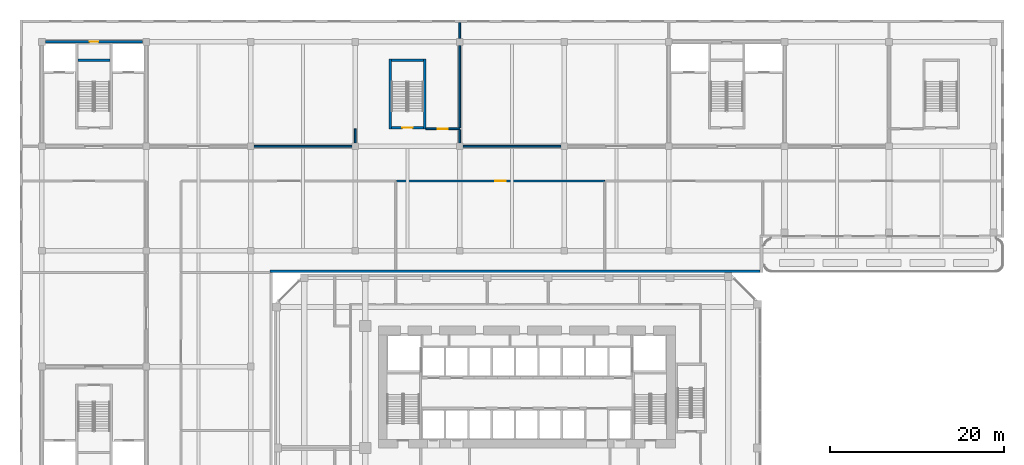
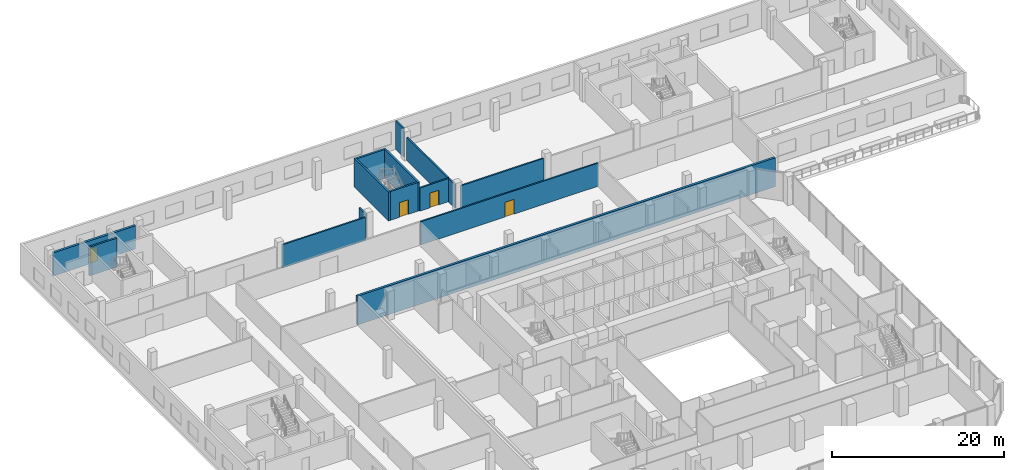
# One storey, part 22 of 35: 15 walls, 4 doors, 4 openings.
"""IFC4 building model written with IfcOpenShell, lengths in metres."""

from ifc_helpers import new_model, si_unit, direction, frame, frame_2d, origin, place, context, subcontext, project, spatial, rectangle, extrude, source, transform, mapped, material, layer, layer_set, type_object, element, fill, save


model = new_model("IFC4")

# Units and contexts
model_context = context("Model", 3, precision=1e-05, world=origin(), true_north=direction((0.0, 1.0)))
body_context = subcontext(model_context, "Body", "Model", "MODEL_VIEW")
ifc_project = project(units=[si_unit("LENGTHUNIT", "METRE"), si_unit("AREAUNIT", "SQUARE_METRE"), si_unit("VOLUMEUNIT", "CUBIC_METRE"), si_unit("PLANEANGLEUNIT", "RADIAN"), si_unit("MASSUNIT", "GRAM", prefix="KILO")], contexts=[model_context])

# Site, building, storey
site_placement = place(None, origin())
site = spatial("IfcSite", under=ifc_project, at=site_placement, CompositionType="ELEMENT")
building_placement = place(site_placement, origin())
building = spatial("IfcBuilding", under=site, at=building_placement, Name="Kilnfold Tower and Market Hall", CompositionType="ELEMENT")
storey_placement = place(building_placement, frame((0.0, 0.0, 13.5)))
storey = spatial("IfcBuildingStorey", under=building, at=storey_placement, Name="L02", CompositionType="ELEMENT", Elevation=13.5)

# Wall
ifc_material_1 = material(Name="Concrete C50/60", Category="concrete")
ifc_layer_1 = layer(ifc_material_1, 0.25)
ifc_layer_set_1 = layer_set([ifc_layer_1], Name="Concrete C50/60")
wall_type_1 = type_object("IfcWallType", Name="HALL CORE WALL 250", PredefinedType="SHEAR", material=ifc_layer_set_1)
shared_shape_1 = source(origin(), body_context, "Body", "SweptSolid", [
    extrude(rectangle(XDim=3.699951171875, YDim=0.25, at=frame_2d((1.85009765625, 0.0))), origin(), (0.0, 0.0, 1.0), 4.10009765625),
])
wall_1_placement = place(storey_placement, frame((-46.800048828125, 52.52490234375, 0.0), z_axis=(0.0, 0.0, 1.0), x_axis=(-1.0, 0.0, 0.0)))
element("IfcWall", 1, at=wall_1_placement, inside=storey, type_object=wall_type_1, Name="Core wall MH2", PredefinedType="SHEAR", context=body_context, shape_type="MappedRepresentation", body=[
    mapped(shared_shape_1, transform((0.0, 0.0, 0.0))),
])

# Wall, opening, door
wall_2_placement = place(storey_placement, frame((-14.5, 44.77490234375, 0.0), z_axis=(0.0, 0.0, 1.0), x_axis=(1.0, 0.0, 0.0)))
wall_2 = element("IfcWall", 2, at=wall_2_placement, inside=storey, type_object=wall_type_1, Name="Core wall MS4", PredefinedType="SHEAR", context=body_context, shape_type="MappedRepresentation", body=[
    mapped(shared_shape_1, transform((0.0, 0.0, 0.0))),
])
opening_1_placement = place(wall_2_placement, frame((1.25, 0.0, 0.0)))
opening_1 = element("IfcOpeningElement", 3, at=opening_1_placement, cuts=wall_2, Name="Opening MD9-60", PredefinedType="OPENING", context=body_context, shape_type="SweptSolid", body=[
    extrude(rectangle(XDim=1.199951171875, YDim=2.10009765625, at=frame_2d((0.60009765625, 1.050048828125))), frame((0.0, 0.135009765625, 0.0), z_axis=(0.0, -1.0, 0.0), x_axis=(1.0, 0.0, 0.0)), (0.0, 0.0, 1.0), 0.27001953125),
])
ifc_material_2 = material(Name="Steel S355", Category="steel")
door_type_1 = type_object("IfcDoorType", Name="HALL DOOR STAIR 1200X2100 FD60", OperationType="NOTDEFINED", PredefinedType="DOOR", material=ifc_material_2)
door_1_placement = place(opening_1_placement, origin())
door_1 = element("IfcDoor", 4, at=door_1_placement, inside=storey, type_object=door_type_1, Name="Door MD9-60", OperationType="DOUBLE_DOOR_SINGLE_SWING", OverallHeight=2.10009765625, OverallWidth=1.199951171875, PredefinedType="DOOR", context=body_context, shape_type="SweptSolid", body=[
    extrude(rectangle(XDim=1.199951171875, YDim=2.10009765625, at=frame_2d((0.60009765625, 1.050048828125))), frame((0.0, 0.02490234375, 0.0), z_axis=(0.0, -1.0, 0.0), x_axis=(1.0, 0.0, 0.0)), (0.0, 0.0, 1.0), 0.050048828125),
])
fill(opening_1, door_1)

# Walls
wall_3_placement = place(storey_placement, frame((-14.5, 52.52490234375, 0.0), z_axis=(0.0, 0.0, 1.0), x_axis=(1.0, 0.0, 0.0)))
element("IfcWall", 5, at=wall_3_placement, inside=storey, type_object=wall_type_1, Name="Core wall MS4", PredefinedType="SHEAR", context=body_context, shape_type="MappedRepresentation", body=[
    mapped(shared_shape_1, transform((0.0, 0.0, 0.0))),
])
shared_shape_2 = source(origin(), body_context, "Body", "SweptSolid", [
    extrude(rectangle(XDim=8.0, YDim=0.25, at=frame_2d((4.0, 0.0))), origin(), (0.0, 0.0, 1.0), 4.10009765625),
])
for number, where, z_axis, x_axis, name in (
    (6, (-14.625, 44.64990234375, 0.0), (0.0, 0.0, 1.0), (0.0, 1.0, 0.0), "Core wall MS4"),
    (7, (-10.675048828125, 44.64990234375, 0.0), (0.0, 0.0, 1.0), (0.0, 1.0, 0.0), "Core wall MS4"),
):
    element("IfcWall", number, at=place(storey_placement, frame(where, z_axis=z_axis, x_axis=x_axis)), inside=storey, type_object=wall_type_1, Name=name, PredefinedType="SHEAR", context=body_context, shape_type="MappedRepresentation", body=[
        mapped(shared_shape_2, transform((0.0, 0.0, 0.0))),
    ])

# Wall, opening, door
ifc_material_3 = material(Name="Concrete C50/60", Category="concrete")
ifc_layer_2 = layer(ifc_material_3, 0.300048828125)
ifc_layer_set_2 = layer_set([ifc_layer_2], Name="Concrete C50/60")
wall_type_2 = type_object("IfcWallType", Name="HALL CORE WALL 300", PredefinedType="SHEAR", material=ifc_layer_set_2)
shared_shape_3 = source(origin(), body_context, "Body", "SweptSolid", [
    extrude(rectangle(XDim=11.099853515625, YDim=0.300048828125, at=frame_2d((5.5498046875, 0.0))), origin(), (0.0, 0.0, 1.0), 3.300048828125),
])
wall_4_placement = place(storey_placement, frame((-43.10009765625, 54.64990234375, 0.0), z_axis=(0.0, 0.0, 1.0), x_axis=(-1.0, 0.0, 0.0)))
wall_4 = element("IfcWall", 8, at=wall_4_placement, inside=storey, type_object=wall_type_2, Name="Core wall MH2", PredefinedType="SHEAR", context=body_context, shape_type="MappedRepresentation", body=[
    mapped(shared_shape_3, transform((0.0, 0.0, 0.0))),
])
opening_2_placement = place(wall_4_placement, frame((5.050048828125, 0.0, 0.0)))
opening_2 = element("IfcOpeningElement", 9, at=opening_2_placement, cuts=wall_4, Name="Opening MD4-60", PredefinedType="OPENING", context=body_context, shape_type="SweptSolid", body=[
    extrude(rectangle(XDim=1.0, YDim=2.10009765625, at=frame_2d((0.5, 1.050048828125))), frame((0.0, 0.16015625, 0.0), z_axis=(0.0, -1.0, 0.0), x_axis=(1.0, 0.0, 0.0)), (0.0, 0.0, 1.0), 0.320068359375),
])
ifc_material_4 = material(Name="Steel S355", Category="steel")
door_type_2 = type_object("IfcDoorType", Name="HALL DOOR RISER 1000X2100 FD60", OperationType="NOTDEFINED", PredefinedType="DOOR", material=ifc_material_4)
door_2_placement = place(opening_2_placement, origin())
door_2 = element("IfcDoor", 10, at=door_2_placement, inside=storey, type_object=door_type_2, Name="Door MD4-60", OperationType="SINGLE_SWING_LEFT", OverallHeight=2.10009765625, OverallWidth=1.0, PredefinedType="DOOR", context=body_context, shape_type="SweptSolid", body=[
    extrude(rectangle(XDim=1.0, YDim=2.10009765625, at=frame_2d((0.5, 1.050048828125))), frame((0.0, 0.02490234375, 0.0), z_axis=(0.0, -1.0, 0.0), x_axis=(1.0, 0.0, 0.0)), (0.0, 0.0, 1.0), 0.050048828125),
])
fill(opening_2, door_2)

# Walls
ifc_material_5 = material(Name="Concrete blockwork", Category="masonry")
ifc_layer_3 = layer(ifc_material_5, 0.300048828125)
ifc_layer_set_3 = layer_set([ifc_layer_3], Name="Concrete blockwork")
wall_type_3 = type_object("IfcWallType", Name="HALL EXTERNAL WALL 300 EI 120", PredefinedType="SOLIDWALL", material=ifc_layer_set_3)
shared_shape_4 = source(origin(), body_context, "Body", "SweptSolid", [
    extrude(rectangle(XDim=56.300048828125, YDim=0.300048828125, at=frame_2d((28.14990234375, 0.0))), origin(), (0.0, 0.0, 1.0), 4.10009765625),
])
wall_5_placement = place(storey_placement, frame((27.85009765625, 28.300048828125, 0.0), z_axis=(0.0, 0.0, 1.0), x_axis=(-1.0, 0.0, 0.0)))
element("IfcWall", 11, at=wall_5_placement, inside=storey, type_object=wall_type_3, Name="Joint wall MEW-L02.6", PredefinedType="SOLIDWALL", context=body_context, shape_type="MappedRepresentation", body=[
    mapped(shared_shape_4, transform((0.0, 0.0, 0.0))),
])
ifc_material_6 = material(Name="Concrete blockwork", Category="masonry")
ifc_layer_4 = layer(ifc_material_6, 0.199951171875)
ifc_layer_set_4 = layer_set([ifc_layer_4], Name="Concrete blockwork")
wall_type_4 = type_object("IfcWallType", Name="HALL PARTITION 200 EI 120", PredefinedType="PARTITIONING", material=ifc_layer_set_4)
shared_shape_5 = source(origin(), body_context, "Body", "SweptSolid", [
    extrude(rectangle(XDim=1.800048828125, YDim=0.199951171875, at=frame_2d((0.89990234375, 0.0))), origin(), (0.0, 0.0, 1.0), 4.10009765625),
])
wall_6_placement = place(storey_placement, frame((-6.64990234375, 56.85009765625, 0.0), z_axis=(0.0, 0.0, 1.0), x_axis=(0.0, -1.0, 0.0)))
element("IfcWall", 12, at=wall_6_placement, inside=storey, type_object=wall_type_4, Name="Partition W-MH-L02.39", PredefinedType="PARTITIONING", context=body_context, shape_type="MappedRepresentation", body=[
    mapped(shared_shape_5, transform((0.0, 0.0, 0.0))),
])

# Wall, opening, door
shared_shape_6 = source(origin(), body_context, "Body", "SweptSolid", [
    extrude(rectangle(XDim=3.900146484375, YDim=0.199951171875, at=frame_2d((1.9501953125, 0.0))), origin(), (0.0, 0.0, 1.0), 3.300048828125),
])
wall_7_placement = place(storey_placement, frame((-10.550048828125, 44.64990234375, 0.0), z_axis=(0.0, 0.0, 1.0), x_axis=(1.0, 0.0, 0.0)))
wall_7 = element("IfcWall", 13, at=wall_7_placement, inside=storey, type_object=wall_type_4, Name="Partition W-MH-L02.36", PredefinedType="PARTITIONING", context=body_context, shape_type="MappedRepresentation", body=[
    mapped(shared_shape_6, transform((0.0, 0.0, 0.0))),
])
opening_3_placement = place(wall_7_placement, frame((1.35009765625, 0.0, 0.0)))
opening_3 = element("IfcOpeningElement", 14, at=opening_3_placement, cuts=wall_7, Name="Opening MD3-120", PredefinedType="OPENING", context=body_context, shape_type="SweptSolid", body=[
    extrude(rectangle(XDim=1.199951171875, YDim=2.10009765625, at=frame_2d((0.60009765625, 1.050048828125))), frame((0.0, 0.10986328125, 0.0), z_axis=(0.0, -1.0, 0.0), x_axis=(1.0, 0.0, 0.0)), (0.0, 0.0, 1.0), 0.219970703125),
])
ifc_material_7 = material(Name="Steel S355", Category="steel")
door_type_3 = type_object("IfcDoorType", Name="HALL DOOR SERVICE 1200X2100 FD120", OperationType="NOTDEFINED", PredefinedType="DOOR", material=ifc_material_7)
door_3_placement = place(opening_3_placement, origin())
door_3 = element("IfcDoor", 15, at=door_3_placement, inside=storey, type_object=door_type_3, Name="Door MD3-120", OperationType="SINGLE_SWING_LEFT", OverallHeight=2.10009765625, OverallWidth=1.199951171875, PredefinedType="DOOR", context=body_context, shape_type="SweptSolid", body=[
    extrude(rectangle(XDim=1.199951171875, YDim=2.10009765625, at=frame_2d((0.60009765625, 1.050048828125))), frame((0.0, 0.02490234375, 0.0), z_axis=(0.0, -1.0, 0.0), x_axis=(1.0, 0.0, 0.0)), (0.0, 0.0, 1.0), 0.050048828125),
])
fill(opening_3, door_3)

# Walls
shared_shape_7 = source(origin(), body_context, "Body", "SweptSolid", [
    extrude(rectangle(XDim=9.5, YDim=0.199951171875, at=frame_2d((4.75, 0.0))), origin(), (0.0, 0.0, 1.0), 3.300048828125),
])
wall_8_placement = place(storey_placement, frame((-6.64990234375, 54.25, 0.0), z_axis=(0.0, 0.0, 1.0), x_axis=(0.0, -1.0, 0.0)))
element("IfcWall", 16, at=wall_8_placement, inside=storey, type_object=wall_type_4, Name="Partition W-MH-L02.38", PredefinedType="PARTITIONING", context=body_context, shape_type="MappedRepresentation", body=[
    mapped(shared_shape_7, transform((0.0, 0.0, 0.0))),
])
ifc_material_8 = material(Name="Concrete blockwork", Category="masonry")
ifc_layer_5 = layer(ifc_material_8, 0.199951171875)
ifc_layer_set_5 = layer_set([ifc_layer_5], Name="Concrete blockwork")
wall_type_5 = type_object("IfcWallType", Name="HALL PARTITION 200 EI 60", PredefinedType="PARTITIONING", material=ifc_layer_set_5)
shared_shape_8 = source(origin(), body_context, "Body", "SweptSolid", [
    extrude(rectangle(XDim=1.5, YDim=0.199951171875, at=frame_2d((0.75, 0.0))), origin(), (0.0, 0.0, 1.0), 3.300048828125),
])
wall_9_placement = place(storey_placement, frame((-6.64990234375, 44.550048828125, 0.0), z_axis=(0.0, 0.0, 1.0), x_axis=(0.0, -1.0, 0.0)))
element("IfcWall", 17, at=wall_9_placement, inside=storey, type_object=wall_type_5, Name="Partition W-MH-L02.37", PredefinedType="PARTITIONING", context=body_context, shape_type="MappedRepresentation", body=[
    mapped(shared_shape_8, transform((0.0, 0.0, 0.0))),
])
shared_shape_9 = source(origin(), body_context, "Body", "SweptSolid", [
    extrude(rectangle(XDim=11.199951171875, YDim=0.199951171875, at=frame_2d((5.60009765625, 0.0))), origin(), (0.0, 0.0, 1.0), 3.300048828125),
])
for number, where, z_axis, x_axis, name in (
    (18, (-30.25, 42.64990234375, 0.0), (0.0, 0.0, 1.0), (1.0, 0.0, 0.0), "Partition W-MH-L02.32"),
    (19, (-6.25, 42.64990234375, 0.0), (0.0, 0.0, 1.0), (1.0, 0.0, 0.0), "Partition W-MH-L02.40"),
):
    element("IfcWall", number, at=place(storey_placement, frame(where, z_axis=z_axis, x_axis=x_axis)), inside=storey, type_object=wall_type_5, Name=name, PredefinedType="PARTITIONING", context=body_context, shape_type="MappedRepresentation", body=[
        mapped(shared_shape_9, transform((0.0, 0.0, 0.0))),
    ])
shared_shape_10 = source(origin(), body_context, "Body", "SweptSolid", [
    extrude(rectangle(XDim=1.599853515625, YDim=0.199951171875, at=frame_2d((0.7998046875, 0.0))), origin(), (0.0, 0.0, 1.0), 3.300048828125),
])
wall_10_placement = place(storey_placement, frame((-18.64990234375, 43.050048828125, 0.0), z_axis=(0.0, 0.0, 1.0), x_axis=(0.0, 1.0, 0.0)))
element("IfcWall", 20, at=wall_10_placement, inside=storey, type_object=wall_type_5, Name="Partition W-MH-L02.33", PredefinedType="PARTITIONING", context=body_context, shape_type="MappedRepresentation", body=[
    mapped(shared_shape_10, transform((0.0, 0.0, 0.0))),
])

# Wall, opening, door
shared_shape_11 = source(origin(), body_context, "Body", "SweptSolid", [
    extrude(rectangle(XDim=23.89990234375, YDim=0.199951171875, at=frame_2d((11.949951171875, 0.0))), origin(), (0.0, 0.0, 1.0), 3.300048828125),
])
wall_11_placement = place(storey_placement, frame((10.0, 38.64990234375, 0.0), z_axis=(0.0, 0.0, 1.0), x_axis=(-1.0, 0.0, 0.0)))
wall_11 = element("IfcWall", 21, at=wall_11_placement, inside=storey, type_object=wall_type_4, Name="Partition W-MH-L02.42", PredefinedType="PARTITIONING", context=body_context, shape_type="MappedRepresentation", body=[
    mapped(shared_shape_11, transform((0.0, 0.0, 0.0))),
])
opening_4_placement = place(wall_11_placement, frame((11.35009765625, 0.0, 0.0)))
opening_4 = element("IfcOpeningElement", 22, at=opening_4_placement, cuts=wall_11, Name="Opening MD3-120", PredefinedType="OPENING", context=body_context, shape_type="SweptSolid", body=[
    extrude(rectangle(XDim=1.199951171875, YDim=2.10009765625, at=frame_2d((0.60009765625, 1.050048828125))), frame((0.0, 0.10986328125, 0.0), z_axis=(0.0, -1.0, 0.0), x_axis=(1.0, 0.0, 0.0)), (0.0, 0.0, 1.0), 0.219970703125),
])
door_4_placement = place(opening_4_placement, origin())
door_4 = element("IfcDoor", 23, at=door_4_placement, inside=storey, type_object=door_type_3, Name="Door MD3-120", OperationType="SINGLE_SWING_RIGHT", OverallHeight=2.10009765625, OverallWidth=1.199951171875, PredefinedType="DOOR", context=body_context, shape_type="SweptSolid", body=[
    extrude(rectangle(XDim=1.199951171875, YDim=2.10009765625, at=frame_2d((0.60009765625, 1.050048828125))), frame((0.0, 0.02490234375, 0.0), z_axis=(0.0, -1.0, 0.0), x_axis=(1.0, 0.0, 0.0)), (0.0, 0.0, 1.0), 0.050048828125),
])
fill(opening_4, door_4)

save(model, "model.ifc")
